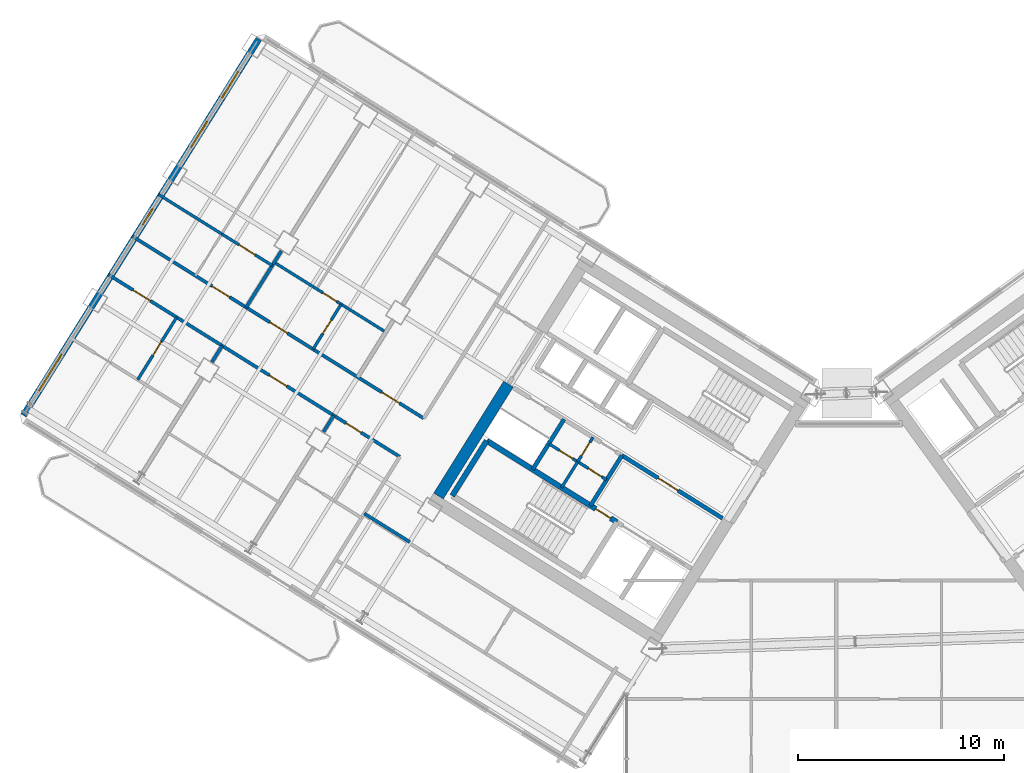
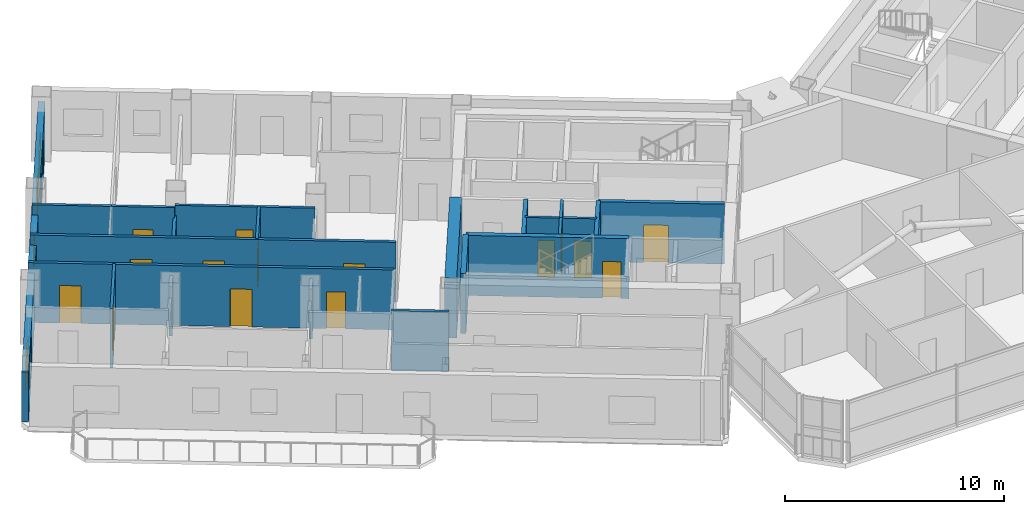
# One storey, part 17 of 29: 21 walls, 15 doors, 4 windows, 19 openings.
"""IFC4 building model written with IfcOpenShell, lengths in metres."""

from ifc_helpers import new_model, si_unit, direction, frame, frame_2d, origin, place, context, subcontext, project, spatial, rectangle, extrude, source, transform, mapped, material, layer, layer_set, type_object, element, fill, save


model = new_model("IFC4")

# Units and contexts
model_context = context("Model", 3, precision=1e-05, world=origin(), true_north=direction((0.0, 1.0)))
body_context = subcontext(model_context, "Body", "Model", "MODEL_VIEW")
ifc_project = project(units=[si_unit("LENGTHUNIT", "METRE"), si_unit("AREAUNIT", "SQUARE_METRE"), si_unit("VOLUMEUNIT", "CUBIC_METRE"), si_unit("PLANEANGLEUNIT", "RADIAN"), si_unit("MASSUNIT", "GRAM", prefix="KILO")], contexts=[model_context])

# Site, building, storey
site_placement = place(None, origin())
site = spatial("IfcSite", under=ifc_project, at=site_placement, CompositionType="ELEMENT")
building_placement = place(site_placement, origin())
building = spatial("IfcBuilding", under=site, at=building_placement, Name="Tlacorven Tower", CompositionType="ELEMENT")
storey_placement = place(building_placement, frame((0.0, 0.0, 151.5)))
storey = spatial("IfcBuildingStorey", under=building, at=storey_placement, Name="L38", CompositionType="ELEMENT", Elevation=151.5)

# Walls
ifc_material_1 = material(Name="Concrete C60/75", Category="concrete")
ifc_layer_1 = layer(ifc_material_1, 0.550048828125)
ifc_layer_set_1 = layer_set([ifc_layer_1], Name="Concrete C60/75")
wall_type_1 = type_object("IfcWallType", Name="WL-COR-550", PredefinedType="SHEAR", material=ifc_layer_set_1)
wall_1_placement = place(storey_placement, frame((26.006591796875, 24.975830078125, 0.0), z_axis=(0.0, 0.0, 1.0), x_axis=(-0.529923795287, -0.848045264823, 0.0)))
element("IfcWall", 1, at=wall_1_placement, inside=storey, type_object=wall_type_1, Name="L38 W core end wall E2.2", PredefinedType="SHEAR", context=body_context, shape_type="SweptSolid", body=[
    extrude(rectangle(XDim=6.425048828125, YDim=0.550048828125, at=frame_2d((3.21240234375, 0.0))), origin(), (0.0, 0.0, 1.0), 3.35009765625),
])
ifc_material_2 = material(Name="Gypsum plasterboard acoustic partition", Category="gypsum")
ifc_layer_2 = layer(ifc_material_2, 0.159912109375)
ifc_layer_set_2 = layer_set([ifc_layer_2], Name="Gypsum plasterboard acoustic partition")
wall_type_2 = type_object("IfcWallType", Name="WL-DEM-160", PredefinedType="PARTITIONING", material=ifc_layer_set_2)
wall_2_placement = place(storey_placement, frame((21.20556640625, 17.29248046875, 0.0), z_axis=(0.0, 0.0, 1.0), x_axis=(-0.848050851465, 0.529914854792, 0.0)))
element("IfcWall", 2, at=wall_2_placement, inside=storey, type_object=wall_type_2, Name="L38 partition 46", PredefinedType="PARTITIONING", context=body_context, shape_type="SweptSolid", body=[
    extrude(rectangle(XDim=2.60986328125, YDim=0.159912109375, at=frame_2d((1.304931640625, 0.0))), origin(), (0.0, 0.0, 1.0), 3.340087890625),
])

# Wall, openings, doors
wall_3_placement = place(storey_placement, frame((21.885498046875, 23.305908203125, 0.0), z_axis=(0.0, 0.0, 1.0), x_axis=(-0.848052408131, 0.529912363569, 0.0)))
wall_3 = element("IfcWall", 3, at=wall_3_placement, inside=storey, type_object=wall_type_2, Name="L38 Wing W Corridor South Wall", PredefinedType="PARTITIONING", context=body_context, shape_type="SweptSolid", body=[
    extrude(rectangle(XDim=16.72998046875, YDim=0.159912109375, at=frame_2d((8.364990234375, 0.0))), origin(), (0.0, 0.0, 1.0), 3.340087890625),
])
opening_1_placement = place(wall_3_placement, frame((1.39501953125, 0.0, 0.0)))
opening_1 = element("IfcOpeningElement", 4, at=opening_1_placement, cuts=wall_3, Name="Opening D11", PredefinedType="OPENING", context=body_context, shape_type="SweptSolid", body=[
    extrude(rectangle(XDim=1.0, YDim=2.10009765625, at=frame_2d((0.5, 1.050048828125))), frame((0.0, 0.08984375, 0.0), z_axis=(0.0, -1.0, 0.0), x_axis=(1.0, 0.0, 0.0)), (0.0, 0.0, 1.0), 0.179931640625),
])
opening_2_placement = place(wall_3_placement, frame((7.820068359375, 0.0, 0.0)))
opening_2 = element("IfcOpeningElement", 5, at=opening_2_placement, cuts=wall_3, Name="Opening D11", PredefinedType="OPENING", context=body_context, shape_type="SweptSolid", body=[
    extrude(rectangle(XDim=1.0, YDim=2.10009765625, at=frame_2d((0.5, 1.050048828125))), frame((0.0, 0.08984375, 0.0), z_axis=(0.0, -1.0, 0.0), x_axis=(1.0, 0.0, 0.0)), (0.0, 0.0, 1.0), 0.179931640625),
])
opening_3_placement = place(wall_3_placement, frame((11.139892578125, 0.0, 0.0)))
opening_3 = element("IfcOpeningElement", 6, at=opening_3_placement, cuts=wall_3, Name="Opening D11", PredefinedType="OPENING", context=body_context, shape_type="SweptSolid", body=[
    extrude(rectangle(XDim=1.0, YDim=2.10009765625, at=frame_2d((0.5, 1.050048828125))), frame((0.0, 0.08984375, 0.0), z_axis=(0.0, -1.0, 0.0), x_axis=(1.0, 0.0, 0.0)), (0.0, 0.0, 1.0), 0.179931640625),
])
ifc_material_3 = material(Name="Fire-rated steel door assembly", Category="steel")
door_type_1 = type_object("IfcDoorType", Name="DR-FLT-FD60-1000", OperationType="NOTDEFINED", PredefinedType="DOOR", material=ifc_material_3)
shared_shape_1 = source(origin(), body_context, "Body", "SweptSolid", [
    extrude(rectangle(XDim=1.0, YDim=2.10009765625, at=frame_2d((0.5, 1.050048828125))), frame((0.0, 0.02490234375, 0.0), z_axis=(0.0, -1.0, 0.0), x_axis=(1.0, 0.0, 0.0)), (0.0, 0.0, 1.0), 0.050048828125),
])
door_1_placement = place(opening_1_placement, origin())
door_1 = element("IfcDoor", 7, at=door_1_placement, inside=storey, type_object=door_type_1, Name="L38 door 032", OperationType="SINGLE_SWING_LEFT", OverallHeight=2.10009765625, OverallWidth=1.0, PredefinedType="DOOR", context=body_context, shape_type="MappedRepresentation", body=[
    mapped(shared_shape_1, transform((0.0, 0.0, 0.0), scale=1.0)),
])
fill(opening_1, door_1)
door_2_placement = place(opening_2_placement, origin())
door_2 = element("IfcDoor", 8, at=door_2_placement, inside=storey, type_object=door_type_1, Name="L38 door 035", OperationType="SINGLE_SWING_RIGHT", OverallHeight=2.10009765625, OverallWidth=1.0, PredefinedType="DOOR", context=body_context, shape_type="MappedRepresentation", body=[
    mapped(shared_shape_1, transform((0.0, 0.0, 0.0), scale=1.0)),
])
fill(opening_2, door_2)
door_3_placement = place(opening_3_placement, origin())
door_3 = element("IfcDoor", 9, at=door_3_placement, inside=storey, type_object=door_type_1, Name="L38 door 039", OperationType="SINGLE_SWING_RIGHT", OverallHeight=2.10009765625, OverallWidth=1.0, PredefinedType="DOOR", context=body_context, shape_type="MappedRepresentation", body=[
    mapped(shared_shape_1, transform((0.0, 0.0, 0.0), scale=1.0)),
])
fill(opening_3, door_3)

wall_4_placement = place(storey_placement, frame((20.719482421875, 21.440185546875, 0.0), z_axis=(0.0, 0.0, 1.0), x_axis=(-0.848048310262, 0.529918921593, 0.0)))
wall_4 = element("IfcWall", 10, at=wall_4_placement, inside=storey, type_object=wall_type_2, Name="L38 Wing W Corridor North Wall", PredefinedType="PARTITIONING", context=body_context, shape_type="SweptSolid", body=[
    extrude(rectangle(XDim=16.72998046875, YDim=0.159912109375, at=frame_2d((8.364990234375, 0.0))), origin(), (0.0, 0.0, 1.0), 3.340087890625),
])
opening_4_placement = place(wall_4_placement, frame((2.219970703125, 0.0, 0.0)))
opening_4 = element("IfcOpeningElement", 11, at=opening_4_placement, cuts=wall_4, Name="Opening D19", PredefinedType="OPENING", context=body_context, shape_type="SweptSolid", body=[
    extrude(rectangle(XDim=0.860107421875, YDim=2.050048828125, at=frame_2d((0.43017578125, 1.02490234375))), frame((0.0, 0.08984375, 0.0), z_axis=(0.0, -1.0, 0.0), x_axis=(1.0, 0.0, 0.0)), (0.0, 0.0, 1.0), 0.179931640625),
])
opening_5_placement = place(wall_4_placement, frame((6.489990234375, 0.0, 0.0)))
opening_5 = element("IfcOpeningElement", 12, at=opening_5_placement, cuts=wall_4, Name="Opening D11", PredefinedType="OPENING", context=body_context, shape_type="SweptSolid", body=[
    extrude(rectangle(XDim=1.0, YDim=2.10009765625, at=frame_2d((0.5, 1.050048828125))), frame((0.0, 0.08984375, 0.0), z_axis=(0.0, -1.0, 0.0), x_axis=(1.0, 0.0, 0.0)), (0.0, 0.0, 1.0), 0.179931640625),
])
opening_6_placement = place(wall_4_placement, frame((14.303955078125, 0.0, 0.0)))
opening_6 = element("IfcOpeningElement", 13, at=opening_6_placement, cuts=wall_4, Name="Opening D11", PredefinedType="OPENING", context=body_context, shape_type="SweptSolid", body=[
    extrude(rectangle(XDim=1.0, YDim=2.10009765625, at=frame_2d((0.5, 1.050048828125))), frame((0.0, 0.08984375, 0.0), z_axis=(0.0, -1.0, 0.0), x_axis=(1.0, 0.0, 0.0)), (0.0, 0.0, 1.0), 0.179931640625),
])
door_type_2 = type_object("IfcDoorType", Name="DR-RSR-FD60-0860", OperationType="NOTDEFINED", PredefinedType="DOOR", material=ifc_material_3)
shared_shape_2 = source(origin(), body_context, "Body", "SweptSolid", [
    extrude(rectangle(XDim=0.860107421875, YDim=2.050048828125, at=frame_2d((0.43017578125, 1.02490234375))), frame((0.0, 0.02490234375, 0.0), z_axis=(0.0, -1.0, 0.0), x_axis=(1.0, 0.0, 0.0)), (0.0, 0.0, 1.0), 0.050048828125),
])
door_4_placement = place(opening_4_placement, origin())
door_4 = element("IfcDoor", 14, at=door_4_placement, inside=storey, type_object=door_type_2, Name="L38 door 024", OperationType="SINGLE_SWING_LEFT", OverallHeight=2.050048828125, OverallWidth=0.860107421875, PredefinedType="DOOR", context=body_context, shape_type="MappedRepresentation", body=[
    mapped(shared_shape_2, transform((0.0, 0.0, 0.0), scale=1.0)),
])
fill(opening_4, door_4)
door_5_placement = place(opening_5_placement, origin())
door_5 = element("IfcDoor", 15, at=door_5_placement, inside=storey, type_object=door_type_1, Name="L38 door 027", OperationType="SINGLE_SWING_RIGHT", OverallHeight=2.10009765625, OverallWidth=1.0, PredefinedType="DOOR", context=body_context, shape_type="MappedRepresentation", body=[
    mapped(shared_shape_1, transform((0.0, 0.0, 0.0), scale=1.0)),
])
fill(opening_5, door_5)
door_6_placement = place(opening_6_placement, origin())
door_6 = element("IfcDoor", 16, at=door_6_placement, inside=storey, type_object=door_type_1, Name="L38 door 029", OperationType="SINGLE_SWING_RIGHT", OverallHeight=2.10009765625, OverallWidth=1.0, PredefinedType="DOOR", context=body_context, shape_type="MappedRepresentation", body=[
    mapped(shared_shape_1, transform((0.0, 0.0, 0.0), scale=1.0)),
])
fill(opening_6, door_6)

# Walls
wall_5_placement = place(storey_placement, frame((17.505615234375, 23.44873046875, 0.0), z_axis=(0.0, 0.0, 1.0), x_axis=(-0.529835187763, -0.848100627171, 0.0)))
element("IfcWall", 17, at=wall_5_placement, inside=storey, type_object=wall_type_2, Name="L38 WN Demising Wall 1", PredefinedType="PARTITIONING", context=body_context, shape_type="SweptSolid", body=[
    extrude(rectangle(XDim=0.938232421875, YDim=0.159912109375, at=frame_2d((0.46923828125, 0.0))), origin(), (0.0, 0.0, 1.0), 2.77490234375),
])
wall_6_placement = place(storey_placement, frame((12.077880859375, 26.840087890625, 0.0), z_axis=(0.0, 0.0, 1.0), x_axis=(-0.529952145338, -0.848027548876, 0.0)))
element("IfcWall", 18, at=wall_6_placement, inside=storey, type_object=wall_type_2, Name="L38 WN Demising Wall 2", PredefinedType="PARTITIONING", context=body_context, shape_type="SweptSolid", body=[
    extrude(rectangle(XDim=0.93798828125, YDim=0.159912109375, at=frame_2d((0.468994140625, 0.0))), origin(), (0.0, 0.0, 1.0), 2.77490234375),
])
wall_7_placement = place(storey_placement, frame((14.959716796875, 31.45166015625, 0.0), z_axis=(0.0, 0.0, 1.0), x_axis=(-0.529924383291, -0.848044897393, 0.0)))
element("IfcWall", 19, at=wall_7_placement, inside=storey, type_object=wall_type_2, Name="L38 WS Demising Wall 2", PredefinedType="PARTITIONING", context=body_context, shape_type="SweptSolid", body=[
    extrude(rectangle(XDim=3.23779296875, YDim=0.159912109375, at=frame_2d((1.618896484375, 0.0))), origin(), (0.0, 0.0, 1.0), 2.77490234375),
])

# Wall, openings, windows
ifc_material_4 = material(Name="Precast concrete C45/55", Category="concrete")
ifc_layer_3 = layer(ifc_material_4, 0.320068359375)
ifc_layer_set_3 = layer_set([ifc_layer_3], Name="Precast concrete C45/55")
wall_type_3 = type_object("IfcWallType", Name="WL-EXT-320", PredefinedType="STANDARD", material=ifc_layer_set_3)
wall_8_placement = place(storey_placement, frame((2.41455078125, 23.452392578125, 0.0), z_axis=(0.0, 0.0, 1.0), x_axis=(0.52991049553, 0.848053575387, 0.0)))
wall_8 = element("IfcWall", 20, at=wall_8_placement, inside=storey, type_object=wall_type_3, Name="L38 Masonry-Frame Recessed Facade Wall 2", PredefinedType="STANDARD", context=body_context, shape_type="SweptSolid", body=[
    extrude(rectangle(XDim=21.58740234375, YDim=0.320068359375, at=frame_2d((10.793701171875, 0.0))), origin(), (0.0, 0.0, 1.0), 2.77490234375),
])
opening_7_placement = place(wall_8_placement, frame((1.40625, 0.0, 0.800048828125)))
opening_7 = element("IfcOpeningElement", 21, at=opening_7_placement, cuts=wall_8, Name="Opening WN04", PredefinedType="OPENING", context=body_context, shape_type="SweptSolid", body=[
    extrude(rectangle(XDim=2.10009765625, YDim=1.550048828125, at=frame_2d((1.050048828125, 0.77490234375))), frame((0.0, 0.169921875, 0.0), z_axis=(0.0, -1.0, 0.0), x_axis=(1.0, 0.0, 0.0)), (0.0, 0.0, 1.0), 0.340087890625),
])
opening_8_placement = place(wall_8_placement, frame((10.94873046875, 0.0, 1.0)))
opening_8 = element("IfcOpeningElement", 22, at=opening_8_placement, cuts=wall_8, Name="Opening WN05", PredefinedType="OPENING", context=body_context, shape_type="SweptSolid", body=[
    extrude(rectangle(XDim=0.89990234375, YDim=1.25, at=frame_2d((0.449951171875, 0.625))), frame((0.0, 0.169921875, 0.0), z_axis=(0.0, -1.0, 0.0), x_axis=(1.0, 0.0, 0.0)), (0.0, 0.0, 1.0), 0.340087890625),
])
opening_9_placement = place(wall_8_placement, frame((15.36865234375, 0.0, 0.85009765625)))
opening_9 = element("IfcOpeningElement", 23, at=opening_9_placement, cuts=wall_8, Name="Opening WN02", PredefinedType="OPENING", context=body_context, shape_type="SweptSolid", body=[
    extrude(rectangle(XDim=1.5, YDim=1.5, at=frame_2d((0.75, 0.75))), frame((0.0, 0.169921875, 0.0), z_axis=(0.0, -1.0, 0.0), x_axis=(1.0, 0.0, 0.0)), (0.0, 0.0, 1.0), 0.340087890625),
])
opening_10_placement = place(wall_8_placement, frame((18.21875, 0.0, 0.85009765625)))
opening_10 = element("IfcOpeningElement", 24, at=opening_10_placement, cuts=wall_8, Name="Opening WN02", PredefinedType="OPENING", context=body_context, shape_type="SweptSolid", body=[
    extrude(rectangle(XDim=1.5, YDim=1.5, at=frame_2d((0.75, 0.75))), frame((0.0, 0.169921875, 0.0), z_axis=(0.0, -1.0, 0.0), x_axis=(1.0, 0.0, 0.0)), (0.0, 0.0, 1.0), 0.340087890625),
])
ifc_material_5 = material(Name="Dark solar low-E double glazing in anodised aluminium frame", Category="aluminium")
window_type_1 = type_object("IfcWindowType", Name="WN-APT-2100X1750", PartitioningType="SINGLE_PANEL", PredefinedType="WINDOW", material=ifc_material_5)
shared_shape_3 = source(origin(), body_context, "Body", "SweptSolid", [
    extrude(rectangle(XDim=2.10009765625, YDim=1.550048828125, at=frame_2d((1.050048828125, 0.77490234375))), frame((0.0, 0.030029296875, 0.0), z_axis=(0.0, -1.0, 0.0), x_axis=(1.0, 0.0, 0.0)), (0.0, 0.0, 1.0), 0.06005859375),
])
window_1_placement = place(opening_7_placement, origin())
window_1 = element("IfcWindow", 25, at=window_1_placement, inside=storey, type_object=window_type_1, Name="L38 Recessed Masonry-Frame Window L38-02.1", OverallHeight=1.550048828125, OverallWidth=2.10009765625, PartitioningType="SINGLE_PANEL", PredefinedType="WINDOW", context=body_context, shape_type="MappedRepresentation", body=[
    mapped(shared_shape_3, transform((0.0, 0.0, 0.0), scale=1.0)),
])
fill(opening_7, window_1)
window_type_2 = type_object("IfcWindowType", Name="WN-APT-1500X1650", PartitioningType="SINGLE_PANEL", PredefinedType="WINDOW", material=ifc_material_5)
shared_shape_4 = source(origin(), body_context, "Body", "SweptSolid", [
    extrude(rectangle(XDim=1.5, YDim=1.5, at=frame_2d((0.75, 0.75))), frame((0.0, 0.030029296875, 0.0), z_axis=(0.0, -1.0, 0.0), x_axis=(1.0, 0.0, 0.0)), (0.0, 0.0, 1.0), 0.06005859375),
])
window_2_placement = place(opening_9_placement, origin())
window_2 = element("IfcWindow", 26, at=window_2_placement, inside=storey, type_object=window_type_2, Name="L38 Recessed Masonry-Frame Window L38-02.3", OverallHeight=1.5, OverallWidth=1.5, PartitioningType="SINGLE_PANEL", PredefinedType="WINDOW", context=body_context, shape_type="MappedRepresentation", body=[
    mapped(shared_shape_4, transform((0.0, 0.0, 0.0), scale=1.0)),
])
fill(opening_9, window_2)
window_3_placement = place(opening_10_placement, origin())
window_3 = element("IfcWindow", 27, at=window_3_placement, inside=storey, type_object=window_type_2, Name="L38 Recessed Masonry-Frame Window L38-02.4", OverallHeight=1.5, OverallWidth=1.5, PartitioningType="SINGLE_PANEL", PredefinedType="WINDOW", context=body_context, shape_type="MappedRepresentation", body=[
    mapped(shared_shape_4, transform((0.0, 0.0, 0.0), scale=1.0)),
])
fill(opening_10, window_3)
window_type_3 = type_object("IfcWindowType", Name="WN-APT-0900X1350", PartitioningType="SINGLE_PANEL", PredefinedType="WINDOW", material=ifc_material_5)
shared_shape_5 = source(origin(), body_context, "Body", "SweptSolid", [
    extrude(rectangle(XDim=0.89990234375, YDim=1.25, at=frame_2d((0.449951171875, 0.625))), frame((0.0, 0.030029296875, 0.0), z_axis=(0.0, -1.0, 0.0), x_axis=(1.0, 0.0, 0.0)), (0.0, 0.0, 1.0), 0.06005859375),
])
window_4_placement = place(opening_8_placement, origin())
window_4 = element("IfcWindow", 28, at=window_4_placement, inside=storey, type_object=window_type_3, Name="L38 Recessed Masonry-Frame Window L38-02.2", OverallHeight=1.25, OverallWidth=0.89990234375, PartitioningType="SINGLE_PANEL", PredefinedType="WINDOW", context=body_context, shape_type="MappedRepresentation", body=[
    mapped(shared_shape_5, transform((0.0, 0.0, 0.0), scale=1.0)),
])
fill(opening_8, window_4)

# Wall, opening, door
ifc_material_6 = material(Name="Moisture-resistant gypsum plumbing wall", Category="gypsum")
ifc_layer_4 = layer(ifc_material_6, 0.139892578125)
ifc_layer_set_4 = layer_set([ifc_layer_4], Name="Moisture-resistant gypsum plumbing wall")
wall_type_4 = type_object("IfcWallType", Name="WL-PLM-140", PredefinedType="PLUMBINGWALL", material=ifc_layer_set_4)
wall_9_placement = place(storey_placement, frame((30.117431640625, 22.383544921875, 0.0), z_axis=(0.0, 0.0, 1.0), x_axis=(-0.529951914384, -0.848027693204, 0.0)))
wall_9 = element("IfcWall", 29, at=wall_9_placement, inside=storey, type_object=wall_type_4, Name="L38 partition 23", PredefinedType="PLUMBINGWALL", context=body_context, shape_type="SweptSolid", body=[
    extrude(rectangle(XDim=1.39990234375, YDim=0.139892578125, at=frame_2d((0.699951171875, 0.0))), origin(), (0.0, 0.0, 1.0), 3.340087890625),
])
opening_11_placement = place(wall_9_placement, frame((0.280029296875, 0.0, 0.0)))
opening_11 = element("IfcOpeningElement", 30, at=opening_11_placement, cuts=wall_9, Name="Opening D22", PredefinedType="OPENING", context=body_context, shape_type="SweptSolid", body=[
    extrude(rectangle(XDim=0.780029296875, YDim=2.050048828125, at=frame_2d((0.39013671875, 1.02490234375))), frame((0.0, 0.080078125, 0.0), z_axis=(0.0, -1.0, 0.0), x_axis=(1.0, 0.0, 0.0)), (0.0, 0.0, 1.0), 0.159912109375),
])
ifc_material_7 = material(Name="Powder-coated aluminium and timber door", Category="wood")
door_type_3 = type_object("IfcDoorType", Name="DR-INT-WET-0780", OperationType="NOTDEFINED", PredefinedType="DOOR", material=ifc_material_7)
shared_shape_6 = source(origin(), body_context, "Body", "SweptSolid", [
    extrude(rectangle(XDim=0.780029296875, YDim=2.050048828125, at=frame_2d((0.39013671875, 1.02490234375))), frame((0.0, 0.02490234375, 0.0), z_axis=(0.0, -1.0, 0.0), x_axis=(1.0, 0.0, 0.0)), (0.0, 0.0, 1.0), 0.050048828125),
])
door_7_placement = place(opening_11_placement, origin())
door_7 = element("IfcDoor", 31, at=door_7_placement, inside=storey, type_object=door_type_3, Name="L38 door 011", OperationType="SINGLE_SWING_LEFT", OverallHeight=2.050048828125, OverallWidth=0.780029296875, PredefinedType="DOOR", context=body_context, shape_type="MappedRepresentation", body=[
    mapped(shared_shape_6, transform((0.0, 0.0, 0.0), scale=1.0)),
])
fill(opening_11, door_7)

# Wall
wall_10_placement = place(storey_placement, frame((29.37548828125, 21.1962890625, 0.0), z_axis=(0.0, 0.0, 1.0), x_axis=(-0.529865479138, -0.848081702443, 0.0)))
element("IfcWall", 32, at=wall_10_placement, inside=storey, type_object=wall_type_4, Name="L38 partition 24", PredefinedType="PLUMBINGWALL", context=body_context, shape_type="SweptSolid", body=[
    extrude(rectangle(XDim=1.47998046875, YDim=0.139892578125, at=frame_2d((0.739990234375, 0.0))), origin(), (0.0, 0.0, 1.0), 3.340087890625),
])

# Wall, openings, doors
wall_11_placement = place(storey_placement, frame((30.766357421875, 20.3271484375, 0.0), z_axis=(0.0, 0.0, 1.0), x_axis=(-0.848052663127, 0.529911955482, 0.0)))
wall_11 = element("IfcWall", 33, at=wall_11_placement, inside=storey, type_object=wall_type_4, Name="L38 partition 25", PredefinedType="PLUMBINGWALL", context=body_context, shape_type="SweptSolid", body=[
    extrude(rectangle(XDim=3.27978515625, YDim=0.139892578125, at=frame_2d((1.639892578125, 0.0))), origin(), (0.0, 0.0, 1.0), 3.340087890625),
])
opening_12_placement = place(wall_11_placement, frame((0.25, 0.0, 0.0)))
opening_12 = element("IfcOpeningElement", 34, at=opening_12_placement, cuts=wall_11, Name="Opening D22", PredefinedType="OPENING", context=body_context, shape_type="SweptSolid", body=[
    extrude(rectangle(XDim=0.780029296875, YDim=2.050048828125, at=frame_2d((0.39013671875, 1.02490234375))), frame((0.0, 0.080078125, 0.0), z_axis=(0.0, -1.0, 0.0), x_axis=(1.0, 0.0, 0.0)), (0.0, 0.0, 1.0), 0.159912109375),
])
opening_13_placement = place(wall_11_placement, frame((1.919921875, 0.0, 0.0)))
opening_13 = element("IfcOpeningElement", 35, at=opening_13_placement, cuts=wall_11, Name="Opening D22", PredefinedType="OPENING", context=body_context, shape_type="SweptSolid", body=[
    extrude(rectangle(XDim=0.780029296875, YDim=2.050048828125, at=frame_2d((0.39013671875, 1.02490234375))), frame((0.0, 0.080078125, 0.0), z_axis=(0.0, -1.0, 0.0), x_axis=(1.0, 0.0, 0.0)), (0.0, 0.0, 1.0), 0.159912109375),
])
door_8_placement = place(opening_12_placement, origin())
door_8 = element("IfcDoor", 36, at=door_8_placement, inside=storey, type_object=door_type_3, Name="L38 door 012", OperationType="SINGLE_SWING_RIGHT", OverallHeight=2.050048828125, OverallWidth=0.780029296875, PredefinedType="DOOR", context=body_context, shape_type="MappedRepresentation", body=[
    mapped(shared_shape_6, transform((0.0, 0.0, 0.0), scale=1.0)),
])
fill(opening_12, door_8)
door_9_placement = place(opening_13_placement, origin())
door_9 = element("IfcDoor", 37, at=door_9_placement, inside=storey, type_object=door_type_3, Name="L38 door 013", OperationType="SINGLE_SWING_LEFT", OverallHeight=2.050048828125, OverallWidth=0.780029296875, PredefinedType="DOOR", context=body_context, shape_type="MappedRepresentation", body=[
    mapped(shared_shape_6, transform((0.0, 0.0, 0.0), scale=1.0)),
])
fill(opening_13, door_9)

# Wall, opening, door
wall_12_placement = place(storey_placement, frame((9.8662109375, 28.22216796875, 0.0), z_axis=(0.0, 0.0, 1.0), x_axis=(-0.529876336437, -0.84807491891, 0.0)))
wall_12 = element("IfcWall", 38, at=wall_12_placement, inside=storey, type_object=wall_type_4, Name="L38 partition 58", PredefinedType="PLUMBINGWALL", context=body_context, shape_type="SweptSolid", body=[
    extrude(rectangle(XDim=3.580078125, YDim=0.139892578125, at=frame_2d((1.7900390625, 0.0))), origin(), (0.0, 0.0, 1.0), 3.340087890625),
])
opening_14_placement = place(wall_12_placement, frame((1.39990234375, 0.0, 0.0)))
opening_14 = element("IfcOpeningElement", 39, at=opening_14_placement, cuts=wall_12, Name="Opening D22", PredefinedType="OPENING", context=body_context, shape_type="SweptSolid", body=[
    extrude(rectangle(XDim=0.780029296875, YDim=2.050048828125, at=frame_2d((0.39013671875, 1.02490234375))), frame((0.0, 0.080078125, 0.0), z_axis=(0.0, -1.0, 0.0), x_axis=(1.0, 0.0, 0.0)), (0.0, 0.0, 1.0), 0.159912109375),
])
door_10_placement = place(opening_14_placement, origin())
door_10 = element("IfcDoor", 40, at=door_10_placement, inside=storey, type_object=door_type_3, Name="L38 door 031", OperationType="SINGLE_SWING_RIGHT", OverallHeight=2.050048828125, OverallWidth=0.780029296875, PredefinedType="DOOR", context=body_context, shape_type="MappedRepresentation", body=[
    mapped(shared_shape_6, transform((0.0, 0.0, 0.0), scale=1.0)),
])
fill(opening_14, door_10)

wall_13_placement = place(storey_placement, frame((20.03857421875, 27.502197265625, 0.0), z_axis=(0.0, 0.0, 1.0), x_axis=(-0.848039019877, 0.529933789039, 0.0)))
wall_13 = element("IfcWall", 41, at=wall_13_placement, inside=storey, type_object=wall_type_4, Name="L38 partition 62", PredefinedType="PLUMBINGWALL", context=body_context, shape_type="SweptSolid", body=[
    extrude(rectangle(XDim=6.400146484375, YDim=0.139892578125, at=frame_2d((3.2001953125, 0.0))), origin(), (0.0, 0.0, 1.0), 3.340087890625),
])
opening_15_placement = place(wall_13_placement, frame((2.823974609375, 0.0, 0.0)))
opening_15 = element("IfcOpeningElement", 42, at=opening_15_placement, cuts=wall_13, Name="Opening D22", PredefinedType="OPENING", context=body_context, shape_type="SweptSolid", body=[
    extrude(rectangle(XDim=0.780029296875, YDim=2.050048828125, at=frame_2d((0.39013671875, 1.02490234375))), frame((0.0, 0.080078125, 0.0), z_axis=(0.0, -1.0, 0.0), x_axis=(1.0, 0.0, 0.0)), (0.0, 0.0, 1.0), 0.159912109375),
])
door_11_placement = place(opening_15_placement, origin())
door_11 = element("IfcDoor", 43, at=door_11_placement, inside=storey, type_object=door_type_3, Name="L38 door 036", OperationType="SINGLE_SWING_LEFT", OverallHeight=2.050048828125, OverallWidth=0.780029296875, PredefinedType="DOOR", context=body_context, shape_type="MappedRepresentation", body=[
    mapped(shared_shape_6, transform((0.0, 0.0, 0.0), scale=1.0)),
])
fill(opening_15, door_11)

wall_14_placement = place(storey_placement, frame((17.867431640625, 28.85888671875, 0.0), z_axis=(0.0, 0.0, 1.0), x_axis=(-0.529913878929, -0.848051461244, 0.0)))
wall_14 = element("IfcWall", 44, at=wall_14_placement, inside=storey, type_object=wall_type_4, Name="L38 partition 63", PredefinedType="PLUMBINGWALL", context=body_context, shape_type="SweptSolid", body=[
    extrude(rectangle(XDim=2.580078125, YDim=0.139892578125, at=frame_2d((1.2900390625, 0.0))), origin(), (0.0, 0.0, 1.0), 3.340087890625),
])
opening_16_placement = place(wall_14_placement, frame((0.89990234375, 0.0, 0.0)))
opening_16 = element("IfcOpeningElement", 45, at=opening_16_placement, cuts=wall_14, Name="Opening D22", PredefinedType="OPENING", context=body_context, shape_type="SweptSolid", body=[
    extrude(rectangle(XDim=0.780029296875, YDim=2.050048828125, at=frame_2d((0.39013671875, 1.02490234375))), frame((0.0, 0.080078125, 0.0), z_axis=(0.0, -1.0, 0.0), x_axis=(1.0, 0.0, 0.0)), (0.0, 0.0, 1.0), 0.159912109375),
])
door_12_placement = place(opening_16_placement, origin())
door_12 = element("IfcDoor", 46, at=door_12_placement, inside=storey, type_object=door_type_3, Name="L38 door 037", OperationType="SINGLE_SWING_RIGHT", OverallHeight=2.050048828125, OverallWidth=0.780029296875, PredefinedType="DOOR", context=body_context, shape_type="MappedRepresentation", body=[
    mapped(shared_shape_6, transform((0.0, 0.0, 0.0), scale=1.0)),
])
fill(opening_16, door_12)

wall_15_placement = place(storey_placement, frame((14.515625, 30.7412109375, 0.0), z_axis=(0.0, 0.0, 1.0), x_axis=(-0.848059786386, 0.529900555496, 0.0)))
wall_15 = element("IfcWall", 47, at=wall_15_placement, inside=storey, type_object=wall_type_4, Name="L38 partition 67", PredefinedType="PLUMBINGWALL", context=body_context, shape_type="SweptSolid", body=[
    extrude(rectangle(XDim=2.89990234375, YDim=0.139892578125, at=frame_2d((1.449951171875, 0.0))), origin(), (0.0, 0.0, 1.0), 3.340087890625),
])
opening_17_placement = place(wall_15_placement, frame((0.989990234375, 0.0, 0.0)))
opening_17 = element("IfcOpeningElement", 48, at=opening_17_placement, cuts=wall_15, Name="Opening D12", PredefinedType="OPENING", context=body_context, shape_type="SweptSolid", body=[
    extrude(rectangle(XDim=0.919921875, YDim=2.080078125, at=frame_2d((0.4599609375, 1.0400390625))), frame((0.0, 0.080078125, 0.0), z_axis=(0.0, -1.0, 0.0), x_axis=(1.0, 0.0, 0.0)), (0.0, 0.0, 1.0), 0.159912109375),
])
door_type_4 = type_object("IfcDoorType", Name="DR-INT-ROOM-0920", OperationType="NOTDEFINED", PredefinedType="DOOR", material=ifc_material_7)
shared_shape_7 = source(origin(), body_context, "Body", "SweptSolid", [
    extrude(rectangle(XDim=0.919921875, YDim=2.080078125, at=frame_2d((0.4599609375, 1.0400390625))), frame((0.0, 0.02490234375, 0.0), z_axis=(0.0, -1.0, 0.0), x_axis=(1.0, 0.0, 0.0)), (0.0, 0.0, 1.0), 0.050048828125),
])
door_13_placement = place(opening_17_placement, origin())
door_13 = element("IfcDoor", 49, at=door_13_placement, inside=storey, type_object=door_type_4, Name="L38 door 040", OperationType="SINGLE_SWING_LEFT", OverallHeight=2.080078125, OverallWidth=0.919921875, PredefinedType="DOOR", context=body_context, shape_type="MappedRepresentation", body=[
    mapped(shared_shape_7, transform((0.0, 0.0, 0.0), scale=1.0)),
])
fill(opening_17, door_13)

# Wall
wall_16_placement = place(storey_placement, frame((12.056396484375, 32.27783203125, 0.0), z_axis=(0.0, 0.0, 1.0), x_axis=(-0.848039976902, 0.529932257535, 0.0)))
element("IfcWall", 50, at=wall_16_placement, inside=storey, type_object=wall_type_4, Name="L38 partition 68", PredefinedType="PLUMBINGWALL", context=body_context, shape_type="SweptSolid", body=[
    extrude(rectangle(XDim=3.6201171875, YDim=0.139892578125, at=frame_2d((1.81005859375, 0.0))), origin(), (0.0, 0.0, 1.0), 3.340087890625),
])

# Wall, opening, door
ifc_material_8 = material(Name="Concrete C40/50", Category="concrete")
ifc_layer_5 = layer(ifc_material_8, 0.199951171875)
ifc_layer_set_5 = layer_set([ifc_layer_5], Name="Concrete C40/50")
wall_type_5 = type_object("IfcWallType", Name="WL-SHF-200", PredefinedType="STANDARD", material=ifc_layer_set_5)
wall_17_placement = place(storey_placement, frame((36.416748046875, 18.447265625, 0.0), z_axis=(0.0, 0.0, 1.0), x_axis=(-0.848064879198, 0.529892404805, 0.0)))
wall_17 = element("IfcWall", 51, at=wall_17_placement, inside=storey, type_object=wall_type_5, Name="L38 Core W Smoke Lobby Wall", PredefinedType="STANDARD", context=body_context, shape_type="SweptSolid", body=[
    extrude(rectangle(XDim=5.76806640625, YDim=0.199951171875, at=frame_2d((2.884033203125, 0.0))), origin(), (0.0, 0.0, 1.0), 3.340087890625),
])
opening_18_placement = place(wall_17_placement, frame((2.548095703125, 0.0, 0.0)))
opening_18 = element("IfcOpeningElement", 52, at=opening_18_placement, cuts=wall_17, Name="Opening D09", PredefinedType="OPENING", context=body_context, shape_type="SweptSolid", body=[
    extrude(rectangle(XDim=1.14990234375, YDim=2.10009765625, at=frame_2d((0.574951171875, 1.050048828125))), frame((0.0, 0.10986328125, 0.0), z_axis=(0.0, -1.0, 0.0), x_axis=(1.0, 0.0, 0.0)), (0.0, 0.0, 1.0), 0.219970703125),
])
door_type_5 = type_object("IfcDoorType", Name="DR-FFL-FD60-1150", OperationType="NOTDEFINED", PredefinedType="DOOR", material=ifc_material_3)
shared_shape_8 = source(origin(), body_context, "Body", "SweptSolid", [
    extrude(rectangle(XDim=1.14990234375, YDim=2.10009765625, at=frame_2d((0.574951171875, 1.050048828125))), frame((0.0, 0.02490234375, 0.0), z_axis=(0.0, -1.0, 0.0), x_axis=(1.0, 0.0, 0.0)), (0.0, 0.0, 1.0), 0.050048828125),
])
door_14_placement = place(opening_18_placement, origin())
door_14 = element("IfcDoor", 53, at=door_14_placement, inside=storey, type_object=door_type_5, Name="L38 Firefighting Lobby W Fire Door", OperationType="SINGLE_SWING_RIGHT", OverallHeight=2.10009765625, OverallWidth=1.14990234375, PredefinedType="DOOR", context=body_context, shape_type="MappedRepresentation", body=[
    mapped(shared_shape_8, transform((0.0, 0.0, 0.0), scale=1.0)),
])
fill(opening_18, door_14)

# Walls
for number, where, z_axis, x_axis, name in (
    (54, (31.525146484375, 21.503662109375, 0.0), (0.0, 0.0, 1.0), (-0.529907497854, -0.848055448493, 0.0), "L38 partition 20"),
    (55, (28.709716796875, 23.26318359375, 0.0), (0.0, 0.0, 1.0), (-0.529907497854, -0.848055448493, 0.0), "L38 partition 21"),
):
    element("IfcWall", number, at=place(storey_placement, frame(where, z_axis=z_axis, x_axis=x_axis)), inside=storey, type_object=wall_type_5, Name=name, PredefinedType="STANDARD", context=body_context, shape_type="SweptSolid", body=[
        extrude(rectangle(XDim=2.8798828125, YDim=0.199951171875, at=frame_2d((1.43994140625, 0.0))), origin(), (0.0, 0.0, 1.0), 3.340087890625),
    ])

# Wall, opening, door
ifc_material_9 = material(Name="Concrete C50/60", Category="concrete")
ifc_layer_6 = layer(ifc_material_9, 0.260009765625)
ifc_layer_set_6 = layer_set([ifc_layer_6], Name="Concrete C50/60")
wall_type_6 = type_object("IfcWallType", Name="WL-STW-260", PredefinedType="SHEAR", material=ifc_layer_set_6)
wall_18_placement = place(storey_placement, frame((31.279541015625, 18.26123046875, 0.0), z_axis=(0.0, 0.0, 1.0), x_axis=(-0.848051618787, 0.529913626805, 0.0)))
wall_18 = element("IfcWall", 56, at=wall_18_placement, inside=storey, type_object=wall_type_6, Name="L38 Stair W1 Lobby Shear Wall", PredefinedType="SHEAR", context=body_context, shape_type="SweptSolid", body=[
    extrude(rectangle(XDim=7.4599609375, YDim=0.260009765625, at=frame_2d((3.72998046875, 0.0))), origin(), (0.0, 0.0, 1.0), 3.35009765625),
])
opening_19_placement = place(wall_18_placement, frame((0.360107421875, 0.0, 0.0)))
opening_19 = element("IfcOpeningElement", 57, at=opening_19_placement, cuts=wall_18, Name="Opening D19", PredefinedType="OPENING", context=body_context, shape_type="SweptSolid", body=[
    extrude(rectangle(XDim=0.860107421875, YDim=2.050048828125, at=frame_2d((0.43017578125, 1.02490234375))), frame((0.0, 0.14013671875, 0.0), z_axis=(0.0, -1.0, 0.0), x_axis=(1.0, 0.0, 0.0)), (0.0, 0.0, 1.0), 0.280029296875),
])
door_15_placement = place(opening_19_placement, frame((0.860107421875, 0.0, 0.0), z_axis=(0.0, 0.0, 1.0), x_axis=(-1.0, 0.0, 0.0)))
door_15 = element("IfcDoor", 58, at=door_15_placement, inside=storey, type_object=door_type_2, Name="L38 Exit Stair W1 Fire Door", OperationType="SINGLE_SWING_LEFT", OverallHeight=2.050048828125, OverallWidth=0.860107421875, PredefinedType="DOOR", context=body_context, shape_type="MappedRepresentation", body=[
    mapped(shared_shape_2, transform((0.0, 0.0, 0.0), scale=1.0)),
])
fill(opening_19, door_15)

# Wall
wall_19_placement = place(storey_placement, frame((24.944580078125, 22.2197265625, 0.0), z_axis=(0.0, 0.0, 1.0), x_axis=(-0.529908658664, -0.84805472316, 0.0)))
element("IfcWall", 59, at=wall_19_placement, inside=storey, type_object=wall_type_6, Name="L38 Stair W1 East Shear Wall", PredefinedType="SHEAR", context=body_context, shape_type="SweptSolid", body=[
    extrude(rectangle(XDim=3.16015625, YDim=0.260009765625, at=frame_2d((1.580078125, 0.0))), origin(), (0.0, 0.0, 1.0), 3.35009765625),
])

save(model, "model.ifc")
